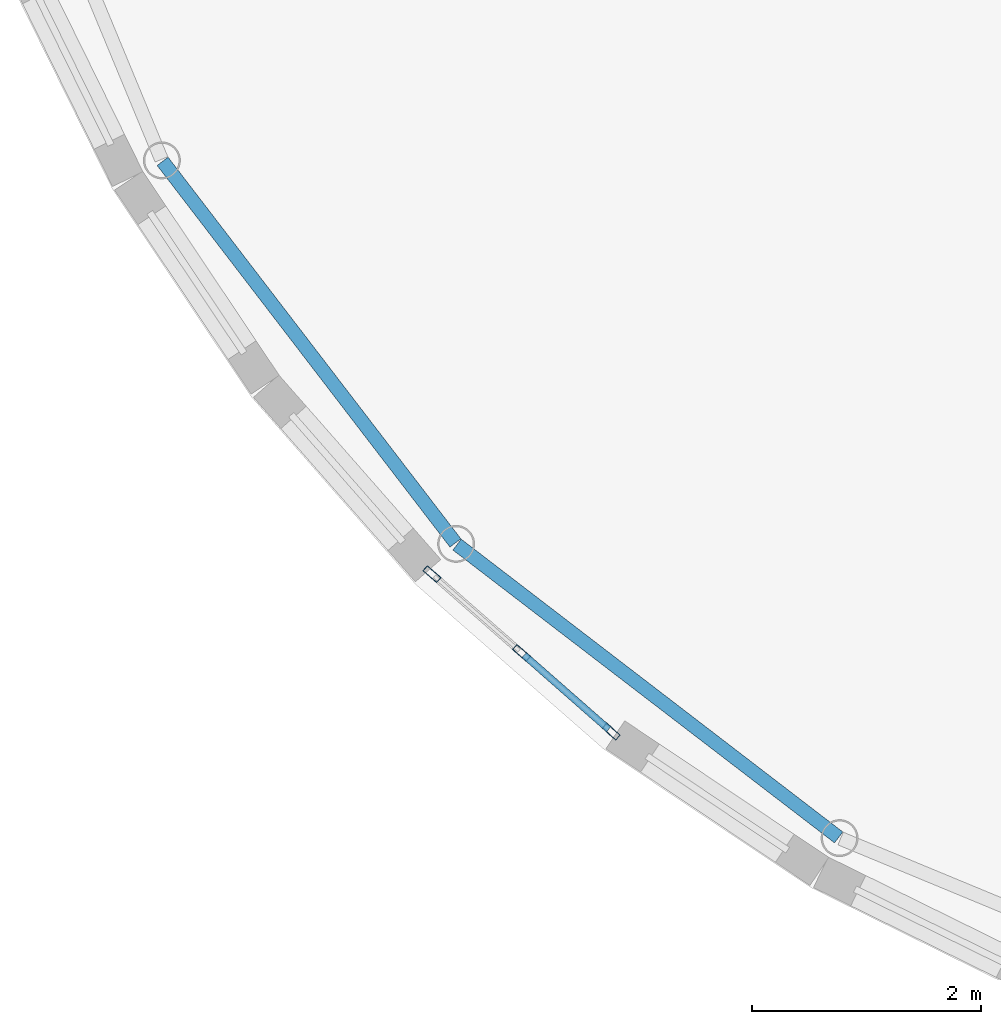
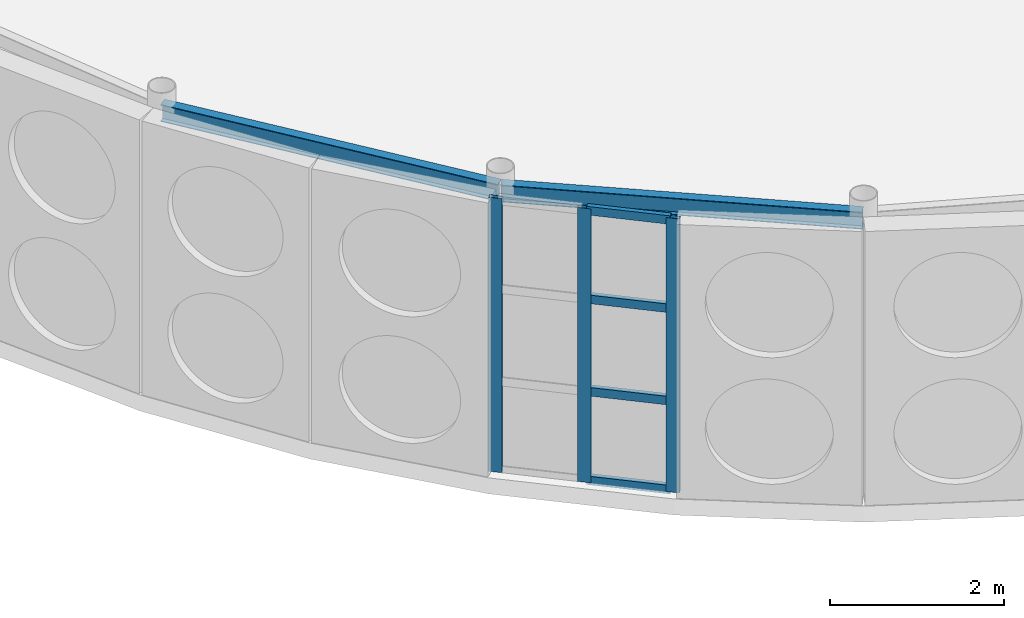
# One storey, part 48 of 189: 7 members, 2 beams, 1 element without a shape of its own.
"""IFC4 building model written with IfcOpenShell, lengths in metres."""

from ifc_helpers import new_model, si_unit, direction, frame, origin, origin_2d, place, context, subcontext, project, spatial, hollow_rectangle, i_section, extrude, material, layer, layer_set, material_profile, profile_set, type_object, element, aggregate, save


model = new_model("IFC4")

# Units and contexts
model_context = context("Model", 3, precision=1e-05, world=origin(), true_north=direction((0.0, 1.0)))
body_context = subcontext(model_context, "Body", "Model", "MODEL_VIEW")
ifc_project = project(units=[si_unit("LENGTHUNIT", "METRE"), si_unit("AREAUNIT", "SQUARE_METRE"), si_unit("VOLUMEUNIT", "CUBIC_METRE"), si_unit("PLANEANGLEUNIT", "RADIAN"), si_unit("MASSUNIT", "GRAM", prefix="KILO")], contexts=[model_context])

# Site, building, storey
site_placement = place(None, origin())
site = spatial("IfcSite", under=ifc_project, at=site_placement, CompositionType="ELEMENT")
building_placement = place(site_placement, origin())
building = spatial("IfcBuilding", under=site, at=building_placement, Name="Montecoro Central Library", CompositionType="ELEMENT")
storey_placement = place(building_placement, frame((0.0, 0.0, 9.179931640625)))
storey = spatial("IfcBuildingStorey", under=building, at=storey_placement, Name="L02", CompositionType="ELEMENT", Elevation=9.179931640625)

# Beams
ifc_material_1 = material(Name="Steel S355", Category="steel")
ifc_material_profile_1 = material_profile(ifc_material_1, i_section(OverallWidth=0.1201171875, OverallDepth=0.239990234375, WebThickness=0.006103515625, FlangeThickness=0.009765625, at=origin_2d()), Name="IPE 240")
ifc_profile_set_1 = profile_set([ifc_material_profile_1], Name="Steel S355")
beam_type = type_object("IfcBeamType", Name="BM-SP-IPE240", PredefinedType="SPANDREL", material=ifc_profile_set_1)
for number, where, z_axis, x_axis, name in (
    (1, (77.593994140625, 27.302001953125, 3.705078125), (0.608772883181, -0.793344551064, 0.0), (0.793344551064, 0.608772883181, 0.0), "V1-L02-RING-15"),
    (2, (80.1669921875, 23.952880859375, 3.705078125), (0.793372600918, -0.608736327249, 0.0), (0.608736327249, 0.793372600918, 0.0), "V1-L02-RING-16"),
):
    element("IfcBeam", number, at=place(storey_placement, frame(where, z_axis=z_axis, x_axis=x_axis)), inside=storey, type_object=beam_type, Name=name, PredefinedType="SPANDREL", context=body_context, shape_type="SweptSolid", body=[
        extrude(i_section(OverallWidth=0.1201171875, OverallDepth=0.239990234375, WebThickness=0.006103515625, FlangeThickness=0.009765625, at=origin_2d()), origin(), (0.0, 0.0, 1.0), 4.20361328125),
    ])

# Curtain wall, members
ifc_material_2 = material(Name="Bronze-anodised aluminium and low-E glazing", Category="aluminium")
ifc_layer = layer(ifc_material_2, 0.159912109375)
ifc_layer_set = layer_set([ifc_layer], Name="Bronze-anodised aluminium and low-E glazing")
curtain_wall_type = type_object("IfcCurtainWallType", Name="CWT-004", PredefinedType="NOTDEFINED", material=ifc_layer_set)
curtain_wall_placement = place(storey_placement, origin())
curtain_wall = element("IfcCurtainWall", 3, at=curtain_wall_placement, inside=storey, type_object=curtain_wall_type, Name="V1-L02-CW-31", PredefinedType="NOTDEFINED")
ifc_material_3 = material(Name="Bronze-anodised aluminium", Category="aluminium")
ifc_material_profile_2 = material_profile(ifc_material_3, hollow_rectangle(XDim=0.06005859375, YDim=0.159912109375, WallThickness=0.00390625, at=origin_2d()), Name="CWM 160x60x4.0")
ifc_profile_set_2 = profile_set([ifc_material_profile_2], Name="Bronze-anodised aluminium")
member_type_1 = type_object("IfcMemberType", Name="CWM-BRZ-60", PredefinedType="MULLION", material=ifc_profile_set_2)
member_1_placement = place(storey_placement, frame((79.947509765625, 23.694091796875, 0.0), z_axis=(0.0, 0.0, 1.0), x_axis=(0.659692012485, 0.751536059457, 0.0)))
member_1 = element("IfcMember", 4, at=member_1_placement, type_object=member_type_1, Name="CW-004 mullion 1", PredefinedType="MULLION", context=body_context, shape_type="SweptSolid", body=[
    extrude(hollow_rectangle(XDim=0.06005859375, YDim=0.159912109375, WallThickness=0.00390625, at=origin_2d()), origin(), (0.0, 0.0, 1.0), 3.85498046875),
])
member_2_placement = place(storey_placement, frame((80.73095703125, 23.006591796875, 0.0), z_axis=(0.0, 0.0, 1.0), x_axis=(0.659692012485, 0.751536059457, 0.0)))
member_2 = element("IfcMember", 5, at=member_2_placement, type_object=member_type_1, Name="CW-004 mullion 2", PredefinedType="MULLION", context=body_context, shape_type="SweptSolid", body=[
    extrude(hollow_rectangle(XDim=0.06005859375, YDim=0.159912109375, WallThickness=0.00390625, at=origin_2d()), origin(), (0.0, 0.0, 1.0), 3.85498046875),
])
member_3_placement = place(storey_placement, frame((81.514404296875, 22.31884765625, 0.0), z_axis=(0.0, 0.0, 1.0), x_axis=(0.659692012485, 0.751536059457, 0.0)))
member_3 = element("IfcMember", 6, at=member_3_placement, type_object=member_type_1, Name="CW-004 mullion 3", PredefinedType="MULLION", context=body_context, shape_type="SweptSolid", body=[
    extrude(hollow_rectangle(XDim=0.06005859375, YDim=0.159912109375, WallThickness=0.00390625, at=origin_2d()), origin(), (0.0, 0.0, 1.0), 3.85498046875),
])
ifc_material_profile_3 = material_profile(ifc_material_3, hollow_rectangle(XDim=0.06005859375, YDim=0.1201171875, WallThickness=0.00390625, at=origin_2d()), Name="CWT 120x60x4.0")
ifc_profile_set_3 = profile_set([ifc_material_profile_3], Name="Bronze-anodised aluminium")
member_type_2 = type_object("IfcMemberType", Name="CWT-BRZ-60", PredefinedType="USERDEFINED", material=ifc_profile_set_3)
member_4_placement = place(storey_placement, frame((80.753662109375, 22.98681640625, 0.030029296875), z_axis=(0.751467269885, -0.659770370881, 0.0), x_axis=(0.659770370881, 0.751467269885, 0.0)))
member_4 = element("IfcMember", 7, at=member_4_placement, type_object=member_type_2, Name="CW-004 transom 2.1", ObjectType="TRANSOM", PredefinedType="USERDEFINED", context=body_context, shape_type="SweptSolid", body=[
    extrude(hollow_rectangle(XDim=0.06005859375, YDim=0.1201171875, WallThickness=0.00390625, at=origin_2d()), origin(), (0.0, 0.0, 1.0), 0.982421875),
])
member_5_placement = place(storey_placement, frame((80.753662109375, 22.98681640625, 1.280029296875), z_axis=(0.751467269885, -0.659770370881, 0.0), x_axis=(0.659770370881, 0.751467269885, 0.0)))
member_5 = element("IfcMember", 8, at=member_5_placement, type_object=member_type_2, Name="CW-004 transom 2.2", ObjectType="TRANSOM", PredefinedType="USERDEFINED", context=body_context, shape_type="SweptSolid", body=[
    extrude(hollow_rectangle(XDim=0.06005859375, YDim=0.1201171875, WallThickness=0.00390625, at=origin_2d()), origin(), (0.0, 0.0, 1.0), 0.982421875),
])
member_6_placement = place(storey_placement, frame((80.753662109375, 22.98681640625, 2.580078125), z_axis=(0.751467269885, -0.659770370881, 0.0), x_axis=(0.659770370881, 0.751467269885, 0.0)))
member_6 = element("IfcMember", 9, at=member_6_placement, type_object=member_type_2, Name="CW-004 transom 2.3", ObjectType="TRANSOM", PredefinedType="USERDEFINED", context=body_context, shape_type="SweptSolid", body=[
    extrude(hollow_rectangle(XDim=0.06005859375, YDim=0.1201171875, WallThickness=0.00390625, at=origin_2d()), origin(), (0.0, 0.0, 1.0), 0.982421875),
])
member_7_placement = place(storey_placement, frame((80.753662109375, 22.98681640625, 3.824951171875), z_axis=(0.751467269885, -0.659770370881, 0.0), x_axis=(0.659770370881, 0.751467269885, 0.0)))
member_7 = element("IfcMember", 10, at=member_7_placement, type_object=member_type_2, Name="CW-004 transom 2.4", ObjectType="TRANSOM", PredefinedType="USERDEFINED", context=body_context, shape_type="SweptSolid", body=[
    extrude(hollow_rectangle(XDim=0.06005859375, YDim=0.1201171875, WallThickness=0.00390625, at=origin_2d()), origin(), (0.0, 0.0, 1.0), 0.982421875),
])
aggregate(curtain_wall, [member_1, member_2, member_3, member_4, member_5, member_6, member_7])

save(model, "model.ifc")
